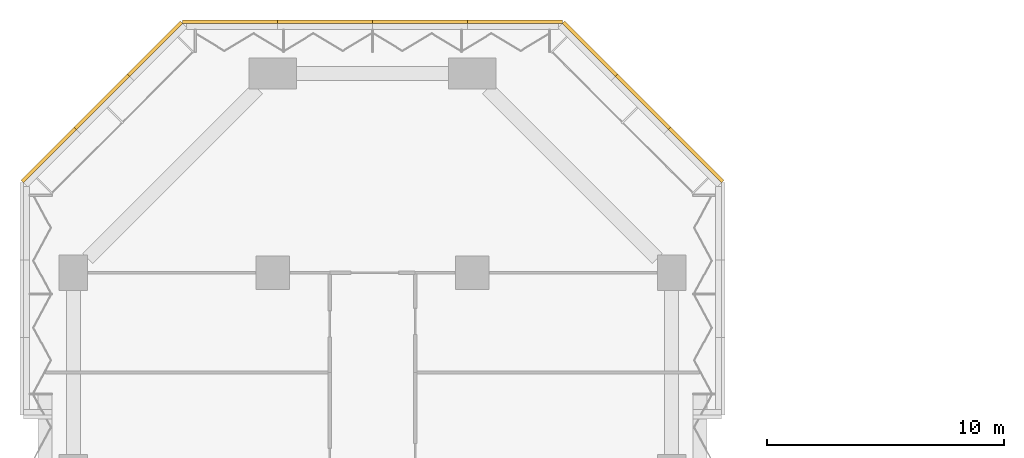
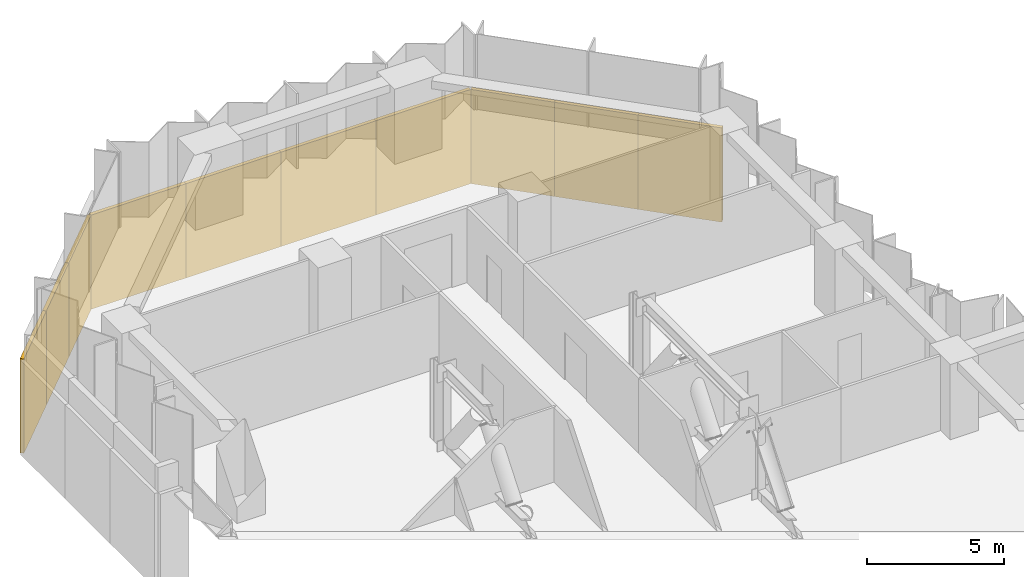
# One storey, part 24 of 24: 10 coverings.
"""IFC4 building model written with IfcOpenShell, lengths in metres."""

from ifc_helpers import new_model, si_unit, direction, frame, origin, place, context, subcontext, project, spatial, polyline, outline, extrude, material, layer, layer_set, type_object, element, save


model = new_model("IFC4")

# Units and contexts
model_context = context("Model", 3, precision=1e-05, world=origin(), true_north=direction((0.0, 1.0)))
body_context = subcontext(model_context, "Body", "Model", "MODEL_VIEW")
ifc_project = project(units=[si_unit("LENGTHUNIT", "METRE"), si_unit("AREAUNIT", "SQUARE_METRE"), si_unit("VOLUMEUNIT", "CUBIC_METRE"), si_unit("PLANEANGLEUNIT", "RADIAN"), si_unit("MASSUNIT", "GRAM", prefix="KILO")], contexts=[model_context])

# Site, building, storey
site_placement = place(None, origin())
site = spatial("IfcSite", under=ifc_project, at=site_placement, CompositionType="ELEMENT")
building_placement = place(site_placement, origin())
building = spatial("IfcBuilding", under=site, at=building_placement, Name="Brevane Broadcast Tower", CompositionType="ELEMENT")
storey_placement = place(building_placement, frame((0.0, 0.0, 36.5)))
storey = spatial("IfcBuildingStorey", under=building, at=storey_placement, Name="L06", CompositionType="ELEMENT", Elevation=36.5)

# Coverings
ifc_material = material(Name="Precast concrete C40/50", Category="concrete")
ifc_layer = layer(ifc_material, 0.14990234375)
ifc_layer_set = layer_set([ifc_layer], Name="CORNICE FASCIA CLADDING 4200")
covering_type = type_object("IfcCoveringType", Name="CORNICE FASCIA CLADDING 4200", PredefinedType="CLADDING", material=ifc_layer_set)
covering_1_placement = place(storey_placement, frame((0.0, 0.0, -4.199951171875)))
element("IfcCovering", 1, at=covering_1_placement, inside=storey, type_object=covering_type, Name="Cornice fascia", PredefinedType="CLADDING", context=body_context, shape_type="SweptSolid", body=[
    extrude(outline(polyline([(-2.10009765625, 62.59716796875), (0.13427734375, 64.831298828125), (0.0283203125, 64.9375), (-2.2060546875, 62.703125), (-2.10009765625, 62.59716796875)])), origin(), (0.0, 0.0, 1.0), 4.199951171875),
])
covering_2_placement = place(storey_placement, frame((0.0, 0.0, -4.199951171875)))
element("IfcCovering", 2, at=covering_2_placement, inside=storey, type_object=covering_type, Name="Cornice fascia", PredefinedType="CLADDING", context=body_context, shape_type="SweptSolid", body=[
    extrude(outline(polyline([(0.13427734375, 64.831298828125), (2.36865234375, 67.065673828125), (2.2626953125, 67.171875), (0.0283203125, 64.9375), (0.13427734375, 64.831298828125)])), origin(), (0.0, 0.0, 1.0), 4.199951171875),
])
covering_3_placement = place(storey_placement, frame((0.0, 0.0, -4.199951171875)))
element("IfcCovering", 3, at=covering_3_placement, inside=storey, type_object=covering_type, Name="Cornice fascia", PredefinedType="CLADDING", context=body_context, shape_type="SweptSolid", body=[
    extrude(outline(polyline([(2.36865234375, 67.065673828125), (4.602783203125, 69.300048828125), (4.496826171875, 69.406005859375), (2.2626953125, 67.171875), (2.36865234375, 67.065673828125)])), origin(), (0.0, 0.0, 1.0), 4.199951171875),
])
covering_4_placement = place(storey_placement, frame((0.0, 0.0, -4.199951171875)))
element("IfcCovering", 4, at=covering_4_placement, inside=storey, type_object=covering_type, Name="Cornice fascia", PredefinedType="CLADDING", context=body_context, shape_type="SweptSolid", body=[
    extrude(outline(polyline([(4.602783203125, 69.300048828125), (8.6015625, 69.300048828125), (8.6015625, 69.449951171875), (4.602783203125, 69.449951171875), (4.602783203125, 69.300048828125)])), origin(), (0.0, 0.0, 1.0), 4.199951171875),
])
covering_5_placement = place(storey_placement, frame((0.0, 0.0, -4.199951171875)))
element("IfcCovering", 5, at=covering_5_placement, inside=storey, type_object=covering_type, Name="Cornice fascia", PredefinedType="CLADDING", context=body_context, shape_type="SweptSolid", body=[
    extrude(outline(polyline([(8.6015625, 69.300048828125), (12.60009765625, 69.300048828125), (12.60009765625, 69.449951171875), (8.6015625, 69.449951171875), (8.6015625, 69.300048828125)])), origin(), (0.0, 0.0, 1.0), 4.199951171875),
])
covering_6_placement = place(storey_placement, frame((0.0, 0.0, -4.199951171875)))
element("IfcCovering", 6, at=covering_6_placement, inside=storey, type_object=covering_type, Name="Cornice fascia", PredefinedType="CLADDING", context=body_context, shape_type="SweptSolid", body=[
    extrude(outline(polyline([(12.60009765625, 69.300048828125), (16.598388671875, 69.300048828125), (16.598388671875, 69.449951171875), (12.60009765625, 69.449951171875), (12.60009765625, 69.300048828125)])), origin(), (0.0, 0.0, 1.0), 4.199951171875),
])
covering_7_placement = place(storey_placement, frame((0.0, 0.0, -4.199951171875)))
element("IfcCovering", 7, at=covering_7_placement, inside=storey, type_object=covering_type, Name="Cornice fascia", PredefinedType="CLADDING", context=body_context, shape_type="SweptSolid", body=[
    extrude(outline(polyline([(16.598388671875, 69.300048828125), (20.59716796875, 69.300048828125), (20.59716796875, 69.449951171875), (16.598388671875, 69.449951171875), (16.598388671875, 69.300048828125)])), origin(), (0.0, 0.0, 1.0), 4.199951171875),
])
covering_8_placement = place(storey_placement, frame((0.0, 0.0, -4.199951171875)))
element("IfcCovering", 8, at=covering_8_placement, inside=storey, type_object=covering_type, Name="Cornice fascia", PredefinedType="CLADDING", context=body_context, shape_type="SweptSolid", body=[
    extrude(outline(polyline([(20.59716796875, 69.300048828125), (22.831298828125, 67.065673828125), (22.9375, 67.171875), (20.703125, 69.406005859375), (20.59716796875, 69.300048828125)])), origin(), (0.0, 0.0, 1.0), 4.199951171875),
])
covering_9_placement = place(storey_placement, frame((0.0, 0.0, -4.199951171875)))
element("IfcCovering", 9, at=covering_9_placement, inside=storey, type_object=covering_type, Name="Cornice fascia", PredefinedType="CLADDING", context=body_context, shape_type="SweptSolid", body=[
    extrude(outline(polyline([(22.831298828125, 67.065673828125), (25.065673828125, 64.831298828125), (25.171875, 64.9375), (22.9375, 67.171875), (22.831298828125, 67.065673828125)])), origin(), (0.0, 0.0, 1.0), 4.199951171875),
])
covering_10_placement = place(storey_placement, frame((0.0, 0.0, -4.199951171875)))
element("IfcCovering", 10, at=covering_10_placement, inside=storey, type_object=covering_type, Name="Cornice fascia", PredefinedType="CLADDING", context=body_context, shape_type="SweptSolid", body=[
    extrude(outline(polyline([(25.065673828125, 64.831298828125), (27.300048828125, 62.59716796875), (27.406005859375, 62.703125), (25.171875, 64.9375), (25.065673828125, 64.831298828125)])), origin(), (0.0, 0.0, 1.0), 4.199951171875),
])

save(model, "model.ifc")
